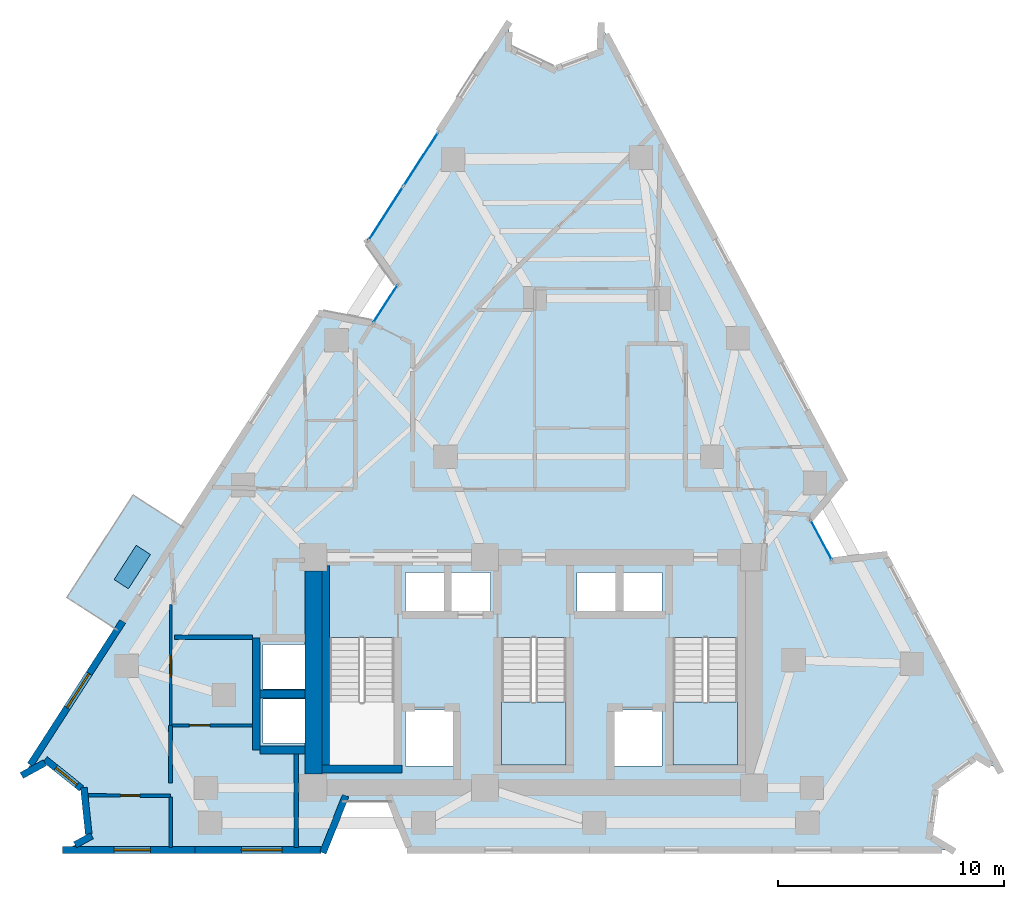
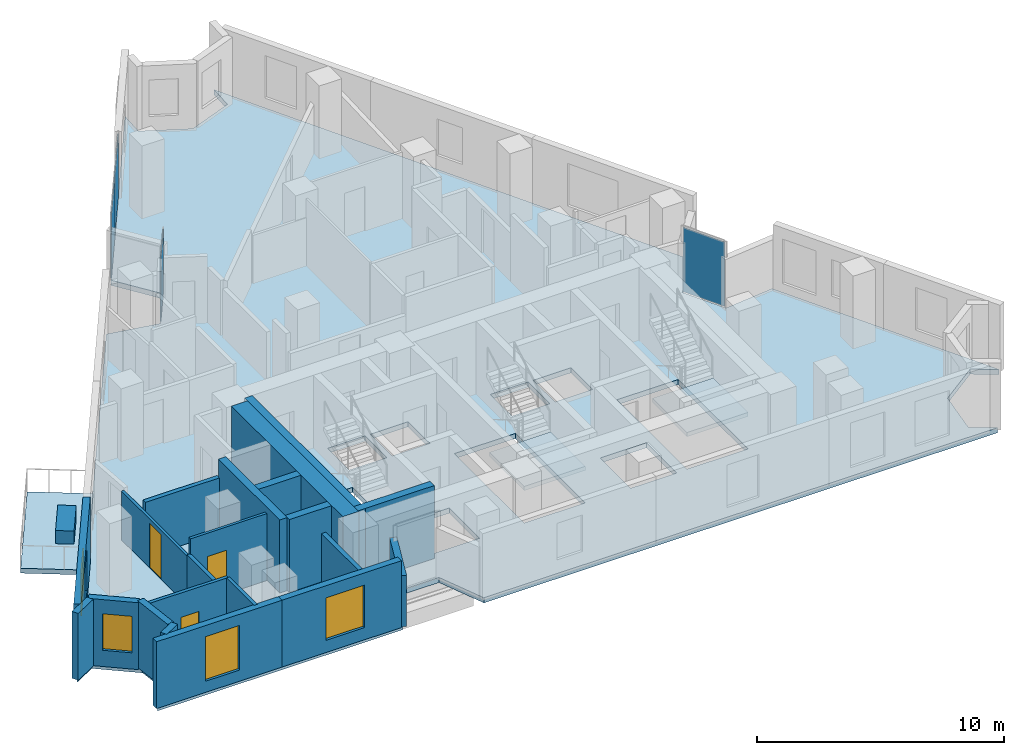
# One storey, part 5 of 11: 21 walls, 5 plates, 4 slabs, 4 windows, 3 doors, 7 openings, 5 elements without a shape of their own.
"""IFC4 building model written with IfcOpenShell, lengths in metres."""

from ifc_helpers import new_model, si_unit, direction, frame, frame_2d, origin, origin_2d, place, context, subcontext, project, spatial, polyline, rectangle, outline, extrude, material, layer, layer_set, type_object, element, fill, aggregate, save


model = new_model("IFC4")

# Units and contexts
model_context = context("Model", 3, precision=1e-05, world=origin(), true_north=direction((0.0, 1.0)))
body_context = subcontext(model_context, "Body", "Model", "MODEL_VIEW")
ifc_project = project(units=[si_unit("LENGTHUNIT", "METRE"), si_unit("AREAUNIT", "SQUARE_METRE"), si_unit("VOLUMEUNIT", "CUBIC_METRE"), si_unit("PLANEANGLEUNIT", "RADIAN"), si_unit("MASSUNIT", "GRAM", prefix="KILO")], contexts=[model_context])

# Site, building, storey
site_placement = place(None, origin())
site = spatial("IfcSite", under=ifc_project, at=site_placement, CompositionType="ELEMENT")
building_placement = place(site_placement, origin())
building = spatial("IfcBuilding", under=site, at=building_placement, Name="Almagre Mirador Tower", CompositionType="ELEMENT")
storey_placement = place(building_placement, frame((0.0, 0.0, 193.199951171875)))
storey = spatial("IfcBuildingStorey", under=building, at=storey_placement, Name="L50", CompositionType="ELEMENT", Elevation=193.199951171875)

# Curtain wall, plate
ifc_material_1 = material(Name="Black anodized aluminium", Category="aluminium")
ifc_layer_1 = layer(ifc_material_1, 0.169921875)
ifc_layer_set_1 = layer_set([ifc_layer_1], Name="Black anodized aluminium")
curtain_wall_type_1 = type_object("IfcCurtainWallType", Name="CW-CRS-SYS", PredefinedType="NOTDEFINED", material=ifc_layer_set_1)
curtain_wall_1_placement = place(storey_placement, origin())
curtain_wall_1 = element("IfcCurtainWall", 1, at=curtain_wall_1_placement, inside=storey, type_object=curtain_wall_type_1, Name="L50 vertical crease curtain wall 01", PredefinedType="NOTDEFINED")
ifc_material_2 = material(Name="Dark solar-control laminated hurricane glass", Category="glass")
ifc_layer_2 = layer(ifc_material_2, 0.028076171875)
ifc_layer_set_2 = layer_set([ifc_layer_2], Name="Dark solar-control laminated hurricane glass")
plate_type_1 = type_object("IfcPlateType", Name="PLT-GLZ-28", PredefinedType="CURTAIN_PANEL", material=ifc_layer_set_2)
plate_1_placement = place(storey_placement, frame((30.740966796875, 25.958984375, 0.06005859375), z_axis=(0.0, 0.0, 1.0), x_axis=(0.541821572943, 0.840493535426, 0.0)))
plate_1 = element("IfcPlate", 2, at=plate_1_placement, type_object=plate_type_1, Name="CW-4 panel 1.1", PredefinedType="CURTAIN_PANEL", context=body_context, shape_type="SweptSolid", body=[
    extrude(rectangle(XDim=1.96923828125, YDim=0.028076171875, at=origin_2d()), origin(), (0.0, 0.0, 1.0), 3.179931640625),
])
aggregate(curtain_wall_1, [plate_1])

curtain_wall_2_placement = place(storey_placement, origin())
curtain_wall_2 = element("IfcCurtainWall", 3, at=curtain_wall_2_placement, inside=storey, type_object=curtain_wall_type_1, Name="L50 vertical crease curtain wall 03", PredefinedType="NOTDEFINED")
plate_2_placement = place(storey_placement, frame((50.02392578125, 15.514404296875, 0.06005859375), z_axis=(0.0, 0.0, 1.0), x_axis=(0.47173010875, -0.881742992316, 0.0)))
plate_2 = element("IfcPlate", 4, at=plate_2_placement, type_object=plate_type_1, Name="CW-4 panel 1.1", PredefinedType="CURTAIN_PANEL", context=body_context, shape_type="SweptSolid", body=[
    extrude(rectangle(XDim=1.97021484375, YDim=0.028076171875, at=origin_2d()), origin(), (0.0, 0.0, 1.0), 3.179931640625),
])
aggregate(curtain_wall_2, [plate_2])

# Curtain wall, plates
ifc_material_3 = material(Name="Black anodized aluminium", Category="aluminium")
ifc_layer_3 = layer(ifc_material_3, 0.199951171875)
ifc_layer_set_3 = layer_set([ifc_layer_3], Name="Black anodized aluminium")
curtain_wall_type_2 = type_object("IfcCurtainWallType", Name="CW-RES-H-SYS", PredefinedType="NOTDEFINED", material=ifc_layer_set_3)
curtain_wall_3_placement = place(storey_placement, origin())
curtain_wall_3 = element("IfcCurtainWall", 5, at=curtain_wall_3_placement, inside=storey, type_object=curtain_wall_type_2, Name="L50 curtain wall run 02", PredefinedType="NOTDEFINED")
ifc_material_4 = material(Name="Dark solar-control laminated hurricane glass", Category="glass")
ifc_layer_4 = layer(ifc_material_4, 0.035888671875)
ifc_layer_set_4 = layer_set([ifc_layer_4], Name="Dark solar-control laminated hurricane glass")
plate_type_2 = type_object("IfcPlateType", Name="PLT-GLZ-36", PredefinedType="CURTAIN_PANEL", material=ifc_layer_set_4)
plate_3_placement = place(storey_placement, frame((30.75634765625, 29.949462890625, 0.065185546875), z_axis=(0.0, 0.0, 1.0), x_axis=(0.542024442963, 0.840362721229, 0.0)))
plate_3 = element("IfcPlate", 6, at=plate_3_placement, type_object=plate_type_2, Name="CW-3 panel 1.1", PredefinedType="CURTAIN_PANEL", context=body_context, shape_type="SweptSolid", body=[
    extrude(rectangle(XDim=2.79345703125, YDim=0.035888671875, at=origin_2d()), origin(), (0.0, 0.0, 1.0), 3.169921875),
])
plate_4_placement = place(storey_placement, frame((32.3056640625, 32.3515625, 0.065185546875), z_axis=(0.0, 0.0, 1.0), x_axis=(0.542024442963, 0.840362721229, 0.0)))
plate_4 = element("IfcPlate", 7, at=plate_4_placement, type_object=plate_type_2, Name="CW-3 panel 2.1", PredefinedType="CURTAIN_PANEL", context=body_context, shape_type="SweptSolid", body=[
    extrude(rectangle(XDim=2.79345703125, YDim=0.035888671875, at=origin_2d()), origin(), (0.0, 0.0, 1.0), 3.169921875),
])
aggregate(curtain_wall_3, [plate_3, plate_4])

# Plate
ifc_material_5 = material(Name="Precast concrete C50/60", Category="concrete")
ifc_layer_5 = layer(ifc_material_5, 0.64990234375)
ifc_layer_set_5 = layer_set([ifc_layer_5], Name="Precast concrete C50/60")
plate_type_3 = type_object("IfcPlateType", Name="PLT-PLANTER-1800", PredefinedType="USERDEFINED", material=ifc_layer_set_5)
plate_5_placement = place(storey_placement, frame((19.5419921875, 14.31494140625, 0.0), z_axis=(0.0, 0.0, 1.0), x_axis=(-0.542030924747, -0.840358540516, 0.0)))
element("IfcPlate", 8, at=plate_5_placement, inside=storey, type_object=plate_type_3, Name="L50 west balcony structural tree planter 1", ObjectType="PLANTER", PredefinedType="USERDEFINED", context=body_context, shape_type="SweptSolid", body=[
    extrude(rectangle(XDim=1.800048828125, YDim=0.75, at=origin_2d()), origin(), (0.0, 0.0, 1.0), 0.64990234375),
])

# Slabs
ifc_material_6 = material(Name="Concrete C45/55", Category="concrete")
ifc_layer_6 = layer(ifc_material_6, 0.239990234375)
ifc_layer_set_6 = layer_set([ifc_layer_6], Name="Concrete C45/55")
slab_type_1 = type_object("IfcSlabType", Name="SLB-BAL-240", PredefinedType="USERDEFINED", material=ifc_layer_set_6)
slab_1_placement = place(storey_placement, frame((0.0, 0.0, -0.239990234375)))
element("IfcSlab", 9, at=slab_1_placement, inside=storey, type_object=slab_type_1, Name="L50 west planted tree balcony 1", ObjectType="BALCONY", PredefinedType="USERDEFINED", context=body_context, shape_type="SweptSolid", body=[
    extrude(outline(polyline([(21.820068359375, 16.05810546875), (18.89404296875, 11.52001953125), (16.64990234375, 12.967041015625), (19.576904296875, 17.5048828125), (21.820068359375, 16.05810546875)])), origin(), (0.0, 0.0, 1.0), 0.239990234375),
])
ifc_material_7 = material(Name="Concrete C45/55", Category="concrete")
ifc_layer_7 = layer(ifc_material_7, 0.25)
ifc_layer_set_7 = layer_set([ifc_layer_7], Name="Concrete C45/55")
slab_type_2 = type_object("IfcSlabType", Name="SLB-FLR-250", PredefinedType="FLOOR", material=ifc_layer_set_7)
slab_2_placement = place(storey_placement, frame((0.0, 0.0, -0.25)))
element("IfcSlab", 10, at=slab_2_placement, inside=storey, type_object=slab_type_2, Name="L50 structural floor slab", PredefinedType="FLOOR", context=body_context, shape_type="SweptSolid", body=[
    extrude(outline(polyline([(14.76806640625, 5.160888671875), (15.794921875, 5.720947265625), (17.412109375, 4.422119140625), (17.626953125, 2.360107421875), (16.60009765625, 1.800048828125), (28.028076171875, 1.800048828125), (28.883056640625, 3.949951171875), (30.972900390625, 3.949951171875), (31.827880859375, 1.800048828125), (55.800048828125, 1.800048828125), (54.7958984375, 2.40087890625), (55.09912109375, 4.615966796875), (56.908935546875, 5.927978515625), (57.9130859375, 5.326904296875), (52.81591796875, 14.85302734375), (50.51708984375, 14.593017578125), (49.531005859375, 16.43603515625), (51.02392578125, 18.2041015625), (40.287109375, 38.27294921875), (40.239013671875, 37.10400390625), (38.176025390625, 36.324951171875), (36.18408203125, 37.27001953125), (36.23193359375, 38.43896484375), (29.964111328125, 28.720947265625), (31.306884765625, 26.8369140625), (30.175048828125, 25.0810546875), (27.904052734375, 25.528076171875), (14.76806640625, 5.160888671875)]), holes=[polyline([(43.47509765625, 5.550048828125), (43.47509765625, 11.196044921875), (46.324951171875, 11.196044921875), (46.324951171875, 5.550048828125), (43.47509765625, 5.550048828125)]), polyline([(40.820068359375, 5.52001953125), (40.820068359375, 7.97998046875), (42.97998046875, 7.97998046875), (42.97998046875, 5.52001953125), (40.820068359375, 5.52001953125)]), polyline([(41.219970703125, 12.320068359375), (41.219970703125, 14.080078125), (42.97998046875, 14.080078125), (42.97998046875, 12.320068359375), (41.219970703125, 12.320068359375)]), polyline([(39.219970703125, 12.320068359375), (39.219970703125, 14.080078125), (40.97998046875, 14.080078125), (40.97998046875, 12.320068359375), (39.219970703125, 12.320068359375)]), polyline([(35.875, 11.196044921875), (38.72509765625, 11.196044921875), (38.72509765625, 5.550048828125), (35.875, 5.550048828125), (35.875, 11.196044921875)]), polyline([(35.3798828125, 12.320068359375), (33.6201171875, 12.320068359375), (33.6201171875, 14.080078125), (35.3798828125, 14.080078125), (35.3798828125, 12.320068359375)]), polyline([(33.780029296875, 5.52001953125), (31.6201171875, 5.52001953125), (31.6201171875, 7.97998046875), (33.780029296875, 7.97998046875), (33.780029296875, 5.52001953125)]), polyline([(31.6201171875, 12.320068359375), (31.6201171875, 14.080078125), (33.3798828125, 14.080078125), (33.3798828125, 12.320068359375), (31.6201171875, 12.320068359375)]), polyline([(28.27490234375, 5.550048828125), (28.27490234375, 11.196044921875), (31.125, 11.196044921875), (31.125, 5.550048828125), (28.27490234375, 5.550048828125)]), polyline([(25.320068359375, 8.919921875), (25.320068359375, 10.8798828125), (27.3798828125, 10.8798828125), (27.3798828125, 8.919921875), (25.320068359375, 8.919921875)]), polyline([(27.3798828125, 6.52001953125), (25.320068359375, 6.52001953125), (25.320068359375, 8.47998046875), (27.3798828125, 8.47998046875), (27.3798828125, 6.52001953125)])]), origin(), (0.0, 0.0, 1.0), 0.25),
])

# Stair, slab
ifc_material_8 = material(Name="Concrete C45/55", Category="concrete")
stair_type = type_object("IfcStairType", Name="STR-DL-3600", PredefinedType="HALF_TURN_STAIR", material=ifc_material_8)
stair_1_placement = place(storey_placement, origin())
stair_1 = element("IfcStair", 11, at=stair_1_placement, inside=storey, type_object=stair_type, Name="L50 Protected exit stair ST-2", PredefinedType="HALF_TURN_STAIR")
ifc_material_9 = material(Name="Concrete C45/55", Category="concrete")
ifc_layer_8 = layer(ifc_material_9, 0.199951171875)
ifc_layer_set_8 = layer_set([ifc_layer_8], Name="Concrete C45/55")
slab_type_3 = type_object("IfcSlabType", Name="SLB-LND-200", PredefinedType="LANDING", material=ifc_layer_set_8)
slab_3_placement = place(storey_placement, frame((0.0, 0.0, 1.60009765625)))
slab_3 = element("IfcSlab", 12, at=slab_3_placement, type_object=slab_type_3, Name="ST-2 landing 1", PredefinedType="LANDING", context=body_context, shape_type="SweptSolid", body=[
    extrude(outline(polyline([(35.875, 8.35009765625), (35.875, 5.550048828125), (38.72509765625, 5.550048828125), (38.72509765625, 8.35009765625), (35.875, 8.35009765625)])), origin(), (0.0, 0.0, 1.0), 0.199951171875),
])
aggregate(stair_1, [slab_3])

stair_2_placement = place(storey_placement, origin())
stair_2 = element("IfcStair", 13, at=stair_2_placement, inside=storey, type_object=stair_type, Name="L50 Protected exit stair ST-3", PredefinedType="HALF_TURN_STAIR")
slab_4_placement = place(storey_placement, frame((0.0, 0.0, 1.60009765625)))
slab_4 = element("IfcSlab", 14, at=slab_4_placement, type_object=slab_type_3, Name="ST-3 landing 1", PredefinedType="LANDING", context=body_context, shape_type="SweptSolid", body=[
    extrude(outline(polyline([(43.47509765625, 8.35009765625), (43.47509765625, 5.550048828125), (46.324951171875, 5.550048828125), (46.324951171875, 8.35009765625), (43.47509765625, 8.35009765625)])), origin(), (0.0, 0.0, 1.0), 0.199951171875),
])
aggregate(stair_2, [slab_4])

# Wall
ifc_material_10 = material(Name="Precast concrete C50/60", Category="concrete")
ifc_layer_9 = layer(ifc_material_10, 0.300048828125)
ifc_layer_set_9 = layer_set([ifc_layer_9], Name="Precast concrete C50/60")
wall_type_1 = type_object("IfcWallType", Name="WAL-EXT-300", PredefinedType="SOLIDWALL", material=ifc_layer_set_9)
wall_1_placement = place(storey_placement, frame((28.98193359375, 4.198974609375, 0.0), z_axis=(0.0, 0.0, 1.0), x_axis=(-0.369487569888, -0.929235672851, 0.0)))
element("IfcWall", 15, at=wall_1_placement, inside=storey, type_object=wall_type_1, Name="L50 expressed almagre precast frame wall 23", PredefinedType="SOLIDWALL", context=body_context, shape_type="SweptSolid", body=[
    extrude(rectangle(XDim=2.7216796875, YDim=0.300048828125, at=frame_2d((1.36083984375, 0.0))), origin(), (0.0, 0.0, 1.0), 2.525146484375),
])

# Wall, opening, window
wall_2_placement = place(storey_placement, frame((27.887939453125, 1.800048828125, 0.0), z_axis=(0.0, 0.0, 1.0), x_axis=(-1.0, 0.0, 0.0)))
wall_2 = element("IfcWall", 16, at=wall_2_placement, inside=storey, type_object=wall_type_1, Name="L50 expressed almagre precast frame wall 24", PredefinedType="SOLIDWALL", context=body_context, shape_type="SweptSolid", body=[
    extrude(rectangle(XDim=5.573974609375, YDim=0.300048828125, at=frame_2d((2.787109375, 0.0))), origin(), (0.0, 0.0, 1.0), 3.300048828125),
])
opening_1_placement = place(wall_2_placement, frame((1.719970703125, 0.0, 0.60009765625)))
opening_1 = element("IfcOpeningElement", 17, at=opening_1_placement, cuts=wall_2, Name="Opening WN-01", PredefinedType="OPENING", context=body_context, shape_type="SweptSolid", body=[
    extrude(rectangle(XDim=1.800048828125, YDim=2.10009765625, at=frame_2d((0.89990234375, 1.050048828125))), frame((0.0, 0.159902, 0.0), z_axis=(0.0, -1.0, 0.0), x_axis=(1.0, 0.0, 0.0)), (0.0, 0.0, 1.0), 0.320049),
])
ifc_material_11 = material(Name="Dark solar-control laminated hurricane glass", Category="glass")
window_type_1 = type_object("IfcWindowType", Name="WIN-1800X2100", PartitioningType="DOUBLE_PANEL_VERTICAL", PredefinedType="WINDOW", material=ifc_material_11)
window_1_placement = place(opening_1_placement, origin())
window_1 = element("IfcWindow", 18, at=window_1_placement, inside=storey, type_object=window_type_1, Name="L50 recessed hurricane window L50-UA-MB", OverallHeight=2.10009765625, OverallWidth=1.800048828125, PartitioningType="SINGLE_PANEL", PredefinedType="WINDOW", context=body_context, shape_type="SweptSolid", body=[
    extrude(rectangle(XDim=1.800048828125, YDim=2.10009765625, at=frame_2d((0.89990234375, 1.050048828125))), frame((0.0, 0.030029296875, 0.0), z_axis=(0.0, -1.0, 0.0), x_axis=(1.0, 0.0, 0.0)), (0.0, 0.0, 1.0), 0.06005859375),
])
fill(opening_1, window_1)

wall_3_placement = place(storey_placement, frame((22.31396484375, 1.800048828125, 0.0), z_axis=(0.0, 0.0, 1.0), x_axis=(-1.0, 0.0, 0.0)))
wall_3 = element("IfcWall", 19, at=wall_3_placement, inside=storey, type_object=wall_type_1, Name="L50 expressed almagre precast frame wall 25", PredefinedType="SOLIDWALL", context=body_context, shape_type="SweptSolid", body=[
    extrude(rectangle(XDim=5.85400390625, YDim=0.300048828125, at=frame_2d((2.927001953125, 0.0))), origin(), (0.0, 0.0, 1.0), 3.300048828125),
])
opening_2_placement = place(wall_3_placement, frame((1.97509765625, 0.0, 0.550048828125)))
opening_2 = element("IfcOpeningElement", 20, at=opening_2_placement, cuts=wall_3, Name="Opening WN-06", PredefinedType="OPENING", context=body_context, shape_type="SweptSolid", body=[
    extrude(rectangle(XDim=1.60009765625, YDim=2.199951171875, at=frame_2d((0.800048828125, 1.10009765625))), frame((0.0, 0.159902, 0.0), z_axis=(0.0, -1.0, 0.0), x_axis=(1.0, 0.0, 0.0)), (0.0, 0.0, 1.0), 0.320049),
])
ifc_material_12 = material(Name="Dark solar-control laminated hurricane glass", Category="glass")
window_type_2 = type_object("IfcWindowType", Name="WIN-1600X2200", PartitioningType="DOUBLE_PANEL_VERTICAL", PredefinedType="WINDOW", material=ifc_material_12)
window_2_placement = place(opening_2_placement, origin())
window_2 = element("IfcWindow", 21, at=window_2_placement, inside=storey, type_object=window_type_2, Name="L50 recessed hurricane window L50-UA-HB", OverallHeight=2.199951171875, OverallWidth=1.60009765625, PartitioningType="SINGLE_PANEL", PredefinedType="WINDOW", context=body_context, shape_type="SweptSolid", body=[
    extrude(rectangle(XDim=1.60009765625, YDim=2.199951171875, at=frame_2d((0.800048828125, 1.10009765625))), frame((0.0, 0.030029296875, 0.0), z_axis=(0.0, -1.0, 0.0), x_axis=(1.0, 0.0, 0.0)), (0.0, 0.0, 1.0), 0.06005859375),
])
fill(opening_2, window_2)

# Walls
wall_4_placement = place(storey_placement, frame((17.0126953125, 2.02490234375, 0.0), z_axis=(0.0, 0.0, 1.0), x_axis=(0.877928900016, 0.478791025936, 0.0)))
element("IfcWall", 22, at=wall_4_placement, inside=storey, type_object=wall_type_1, Name="L50 expressed almagre precast frame wall 26", PredefinedType="SOLIDWALL", context=body_context, shape_type="SweptSolid", body=[
    extrude(rectangle(XDim=0.83984375, YDim=0.300048828125, at=frame_2d((0.419921875, 0.0))), origin(), (0.0, 0.0, 1.0), 3.300048828125),
])
wall_5_placement = place(storey_placement, frame((17.612548828125, 2.499267578125, 0.0), z_axis=(0.0, 0.0, 1.0), x_axis=(-0.10374684954, 0.994603735771, 0.0)))
element("IfcWall", 23, at=wall_5_placement, inside=storey, type_object=wall_type_1, Name="L50 expressed almagre precast frame wall 27", PredefinedType="SOLIDWALL", context=body_context, shape_type="SweptSolid", body=[
    extrude(rectangle(XDim=2.0732421875, YDim=0.300048828125, at=frame_2d((1.03662109375, 0.0))), origin(), (0.0, 0.0, 1.0), 3.300048828125),
])

# Wall, opening, window
wall_6_placement = place(storey_placement, frame((17.29345703125, 4.51708984375, 0.0), z_axis=(0.0, 0.0, 1.0), x_axis=(-0.779596670004, 0.626281911058, 0.0)))
wall_6 = element("IfcWall", 24, at=wall_6_placement, inside=storey, type_object=wall_type_1, Name="L50 expressed almagre precast frame wall 28", PredefinedType="SOLIDWALL", context=body_context, shape_type="SweptSolid", body=[
    extrude(rectangle(XDim=2.062255859375, YDim=0.300048828125, at=frame_2d((1.03125, 0.0))), origin(), (0.0, 0.0, 1.0), 3.300048828125),
])
opening_3_placement = place(wall_6_placement, frame((0.258056640625, 0.0, 0.800048828125)))
opening_3 = element("IfcOpeningElement", 25, at=opening_3_placement, cuts=wall_6, Name="Opening WN-04", PredefinedType="OPENING", context=body_context, shape_type="SweptSolid", body=[
    extrude(rectangle(XDim=1.199951171875, YDim=1.800048828125, at=frame_2d((0.60009765625, 0.89990234375))), frame((0.0, 0.159902, 0.0), z_axis=(0.0, -1.0, 0.0), x_axis=(1.0, 0.0, 0.0)), (0.0, 0.0, 1.0), 0.320049),
])
ifc_material_13 = material(Name="Dark solar-control laminated hurricane glass", Category="glass")
window_type_3 = type_object("IfcWindowType", Name="WIN-1200X1800", PartitioningType="SINGLE_PANEL", PredefinedType="WINDOW", material=ifc_material_13)
window_3_placement = place(opening_3_placement, origin())
window_3 = element("IfcWindow", 26, at=window_3_placement, inside=storey, type_object=window_type_3, Name="L50 recessed hurricane window L50-UA-LV", OverallHeight=1.800048828125, OverallWidth=1.199951171875, PartitioningType="SINGLE_PANEL", PredefinedType="WINDOW", context=body_context, shape_type="SweptSolid", body=[
    extrude(rectangle(XDim=1.199951171875, YDim=1.800048828125, at=frame_2d((0.60009765625, 0.89990234375))), frame((0.0, 0.030029296875, 0.0), z_axis=(0.0, -1.0, 0.0), x_axis=(1.0, 0.0, 0.0)), (0.0, 0.0, 1.0), 0.06005859375),
])
fill(opening_3, window_3)

# Wall
wall_7_placement = place(storey_placement, frame((15.672119140625, 5.654052734375, 0.0), z_axis=(0.0, 0.0, 1.0), x_axis=(-0.877959368473, -0.478735153619, 0.0)))
element("IfcWall", 27, at=wall_7_placement, inside=storey, type_object=wall_type_1, Name="L50 expressed almagre precast frame wall 29", PredefinedType="SOLIDWALL", context=body_context, shape_type="SweptSolid", body=[
    extrude(rectangle(XDim=1.169921875, YDim=0.300048828125, at=frame_2d((0.5849609375, 0.0))), origin(), (0.0, 0.0, 1.0), 3.300048828125),
])

# Wall, opening, window
wall_8_placement = place(storey_placement, frame((15.028076171875, 5.564208984375, 0.0), z_axis=(0.0, 0.0, 1.0), x_axis=(0.541998742133, 0.840379297417, 0.0)))
wall_8 = element("IfcWall", 28, at=wall_8_placement, inside=storey, type_object=wall_type_1, Name="L50 expressed almagre precast frame wall 30", PredefinedType="SOLIDWALL", context=body_context, shape_type="SweptSolid", body=[
    extrude(rectangle(XDim=7.55224609375, YDim=0.300048828125, at=frame_2d((3.776123046875, 0.0))), origin(), (0.0, 0.0, 1.0), 3.300048828125),
])
opening_4_placement = place(wall_8_placement, frame((3.0048828125, 0.0, 0.60009765625)))
opening_4 = element("IfcOpeningElement", 29, at=opening_4_placement, cuts=wall_8, Name="Opening WN-01", PredefinedType="OPENING", context=body_context, shape_type="SweptSolid", body=[
    extrude(rectangle(XDim=1.800048828125, YDim=2.10009765625, at=frame_2d((0.89990234375, 1.050048828125))), frame((0.0, 0.159902, 0.0), z_axis=(0.0, -1.0, 0.0), x_axis=(1.0, 0.0, 0.0)), (0.0, 0.0, 1.0), 0.320049),
])
window_4_placement = place(opening_4_placement, origin())
window_4 = element("IfcWindow", 30, at=window_4_placement, inside=storey, type_object=window_type_1, Name="L50 recessed hurricane window L50-UA-LV", OverallHeight=2.10009765625, OverallWidth=1.800048828125, PartitioningType="SINGLE_PANEL", PredefinedType="WINDOW", context=body_context, shape_type="SweptSolid", body=[
    extrude(rectangle(XDim=1.800048828125, YDim=2.10009765625, at=frame_2d((0.89990234375, 1.050048828125))), frame((0.0, 0.030029296875, 0.0), z_axis=(0.0, -1.0, 0.0), x_axis=(1.0, 0.0, 0.0)), (0.0, 0.0, 1.0), 0.06005859375),
])
fill(opening_4, window_4)

# Wall, opening, door
ifc_material_14 = material(Name="Gypsum acoustic stud partition", Category="other")
ifc_layer_10 = layer(ifc_material_14, 0.125)
ifc_layer_set_10 = layer_set([ifc_layer_10], Name="Gypsum acoustic stud partition")
wall_type_2 = type_object("IfcWallType", Name="WAL-PRT-125-UTL", PredefinedType="PARTITIONING", material=ifc_layer_set_10)
wall_9_placement = place(storey_placement, frame((21.239990234375, 7.31005859375, 0.0), z_axis=(0.0, 0.0, 1.0), x_axis=(0.0, 1.0, 0.0)))
wall_9 = element("IfcWall", 31, at=wall_9_placement, inside=storey, type_object=wall_type_2, Name="L50 interior partition 026", PredefinedType="PARTITIONING", context=body_context, shape_type="SweptSolid", body=[
    extrude(rectangle(XDim=5.349853515625, YDim=0.125, at=frame_2d((2.6748046875, 0.0))), origin(), (0.0, 0.0, 1.0), 2.4140625),
])
opening_5_placement = place(wall_9_placement, frame((2.14111328125, 0.0, 0.0)))
opening_5 = element("IfcOpeningElement", 32, at=opening_5_placement, cuts=wall_9, Name="Opening UD-01", PredefinedType="OPENING", context=body_context, shape_type="SweptSolid", body=[
    extrude(rectangle(XDim=0.949951171875, YDim=2.199951171875, at=frame_2d((0.47509765625, 1.10009765625))), frame((0.0, 0.0725, 0.0), z_axis=(0.0, -1.0, 0.0), x_axis=(1.0, 0.0, 0.0)), (0.0, 0.0, 1.0), 0.145),
])
ifc_material_15 = material(Name="Solid American walnut timber", Category="wood")
door_type_1 = type_object("IfcDoorType", Name="DOR-UNR-950X2200", OperationType="NOTDEFINED", PredefinedType="DOOR", material=ifc_material_15)
door_1_placement = place(opening_5_placement, origin())
door_1 = element("IfcDoor", 33, at=door_1_placement, inside=storey, type_object=door_type_1, Name="DR-1575 L50 interior door L50-UA-LV to L50-UA-KT", OperationType="SINGLE_SWING_RIGHT", OverallHeight=2.199951171875, OverallWidth=0.949951171875, PredefinedType="DOOR", context=body_context, shape_type="SweptSolid", body=[
    extrude(rectangle(XDim=0.949951171875, YDim=2.199951171875, at=frame_2d((0.47509765625, 1.10009765625))), frame((0.0, 0.02490234375, 0.0), z_axis=(0.0, -1.0, 0.0), x_axis=(1.0, 0.0, 0.0)), (0.0, 0.0, 1.0), 0.050048828125),
])
fill(opening_5, door_1)

wall_10_placement = place(storey_placement, frame((21.28759765625, 7.31005859375, 0.0), z_axis=(0.0, 0.0, 1.0), x_axis=(1.0, 0.0, 0.0)))
wall_10 = element("IfcWall", 34, at=wall_10_placement, inside=storey, type_object=wall_type_2, Name="L50 interior partition 029", PredefinedType="PARTITIONING", context=body_context, shape_type="SweptSolid", body=[
    extrude(rectangle(XDim=3.577392578125, YDim=0.125, at=frame_2d((1.78857421875, 0.0))), origin(), (0.0, 0.0, 1.0), 3.300048828125),
])
opening_6_placement = place(wall_10_placement, frame((0.782470703125, 0.0, 0.0)))
opening_6 = element("IfcOpeningElement", 35, at=opening_6_placement, cuts=wall_10, Name="Opening UD-02", PredefinedType="OPENING", context=body_context, shape_type="SweptSolid", body=[
    extrude(rectangle(XDim=0.89990234375, YDim=2.14990234375, at=frame_2d((0.449951171875, 1.074951171875))), frame((0.0, 0.0725, 0.0), z_axis=(0.0, -1.0, 0.0), x_axis=(1.0, 0.0, 0.0)), (0.0, 0.0, 1.0), 0.145),
])
ifc_material_16 = material(Name="Solid American walnut timber", Category="wood")
door_type_2 = type_object("IfcDoorType", Name="DOR-UNR-900X2150", OperationType="NOTDEFINED", PredefinedType="DOOR", material=ifc_material_16)
door_2_placement = place(opening_6_placement, origin())
door_2 = element("IfcDoor", 36, at=door_2_placement, inside=storey, type_object=door_type_2, Name="DR-1577 L50 interior door L50-UA-KT to L50-UA-MB", OperationType="SINGLE_SWING_RIGHT", OverallHeight=2.14990234375, OverallWidth=0.89990234375, PredefinedType="DOOR", context=body_context, shape_type="SweptSolid", body=[
    extrude(rectangle(XDim=0.89990234375, YDim=2.14990234375, at=frame_2d((0.449951171875, 1.074951171875))), frame((0.0, 0.02490234375, 0.0), z_axis=(0.0, -1.0, 0.0), x_axis=(1.0, 0.0, 0.0)), (0.0, 0.0, 1.0), 0.050048828125),
])
fill(opening_6, door_2)

ifc_material_17 = material(Name="Gypsum acoustic stud partition", Category="other")
ifc_layer_11 = layer(ifc_material_17, 0.14990234375)
ifc_layer_set_11 = layer_set([ifc_layer_11], Name="Gypsum acoustic stud partition")
wall_type_3 = type_object("IfcWallType", Name="WAL-PRT-150-STD", PredefinedType="PARTITIONING", material=ifc_layer_set_11)
wall_11_placement = place(storey_placement, frame((17.593017578125, 4.212890625, 0.0), z_axis=(0.0, 0.0, 1.0), x_axis=(0.999993705913, -0.003547976062, 0.0)))
wall_11 = element("IfcWall", 37, at=wall_11_placement, inside=storey, type_object=wall_type_3, Name="L50 interior partition 025", PredefinedType="PARTITIONING", context=body_context, shape_type="SweptSolid", body=[
    extrude(rectangle(XDim=3.64697265625, YDim=0.14990234375, at=frame_2d((1.823486328125, 0.0))), origin(), (0.0, 0.0, 1.0), 3.300048828125),
])
opening_7_placement = place(wall_11_placement, frame((1.434814453125, 0.0, 0.0)))
opening_7 = element("IfcOpeningElement", 38, at=opening_7_placement, cuts=wall_11, Name="Opening UD-04", PredefinedType="OPENING", context=body_context, shape_type="SweptSolid", body=[
    extrude(rectangle(XDim=0.85009765625, YDim=2.10009765625, at=frame_2d((0.425048828125, 1.050048828125))), frame((0.0, 0.084951, 0.0), z_axis=(0.0, -1.0, 0.0), x_axis=(1.0, 0.0, 0.0)), (0.0, 0.0, 1.0), 0.169902),
])
ifc_material_18 = material(Name="Moisture-resistant oak timber", Category="wood")
door_type_3 = type_object("IfcDoorType", Name="DOR-UNR-850X2100", OperationType="NOTDEFINED", PredefinedType="DOOR", material=ifc_material_18)
door_3_placement = place(opening_7_placement, origin())
door_3 = element("IfcDoor", 39, at=door_3_placement, inside=storey, type_object=door_type_3, Name="DR-1576 L50 interior door L50-UA-LV to L50-UA-HB", OperationType="SINGLE_SWING_LEFT", OverallHeight=2.10009765625, OverallWidth=0.85009765625, PredefinedType="DOOR", context=body_context, shape_type="SweptSolid", body=[
    extrude(rectangle(XDim=0.85009765625, YDim=2.10009765625, at=frame_2d((0.425048828125, 1.050048828125))), frame((0.0, 0.02490234375, 0.0), z_axis=(0.0, -1.0, 0.0), x_axis=(1.0, 0.0, 0.0)), (0.0, 0.0, 1.0), 0.050048828125),
])
fill(opening_7, door_3)

# Walls
wall_12_placement = place(storey_placement, frame((21.239990234375, 1.89990234375, 0.0), z_axis=(0.0, 0.0, 1.0), x_axis=(0.0, 1.0, 0.0)))
element("IfcWall", 40, at=wall_12_placement, inside=storey, type_object=wall_type_3, Name="L50 interior partition 028", PredefinedType="PARTITIONING", context=body_context, shape_type="SweptSolid", body=[
    extrude(rectangle(XDim=2.239990234375, YDim=0.14990234375, at=frame_2d((1.1201171875, 0.0))), origin(), (0.0, 0.0, 1.0), 3.300048828125),
])
ifc_material_19 = material(Name="Gypsum acoustic stud partition", Category="other")
ifc_layer_12 = layer(ifc_material_19, 0.175048828125)
ifc_layer_set_12 = layer_set([ifc_layer_12], Name="Gypsum acoustic stud partition")
wall_type_4 = type_object("IfcWallType", Name="WAL-PRT-175-AC", PredefinedType="PARTITIONING", material=ifc_layer_set_12)
wall_13_placement = place(storey_placement, frame((21.239990234375, 4.77001953125, 0.0), z_axis=(0.0, 0.0, 1.0), x_axis=(0.0, 1.0, 0.0)))
element("IfcWall", 41, at=wall_13_placement, inside=storey, type_object=wall_type_4, Name="L50 interior partition 027", PredefinedType="PARTITIONING", context=body_context, shape_type="SweptSolid", body=[
    extrude(rectangle(XDim=2.5400390625, YDim=0.175048828125, at=frame_2d((1.27001953125, 0.0))), origin(), (0.0, 0.0, 1.0), 2.52001953125),
])
ifc_material_20 = material(Name="Gypsum acoustic stud partition", Category="other")
ifc_layer_13 = layer(ifc_material_20, 0.199951171875)
ifc_layer_set_13 = layer_set([ifc_layer_13], Name="Gypsum acoustic stud partition")
wall_type_5 = type_object("IfcWallType", Name="WAL-PRT-200-EI60", PredefinedType="PARTITIONING", material=ifc_layer_set_13)
wall_14_placement = place(storey_placement, frame((21.39990234375, 11.199951171875, 0.0), z_axis=(0.0, 0.0, 1.0), x_axis=(1.0, 0.0, 0.0)))
element("IfcWall", 42, at=wall_14_placement, inside=storey, type_object=wall_type_5, Name="L50 interior partition 003", PredefinedType="PARTITIONING", context=body_context, shape_type="SweptSolid", body=[
    extrude(rectangle(XDim=3.46923828125, YDim=0.199951171875, at=frame_2d((1.734619140625, 0.0))), origin(), (0.0, 0.0, 1.0), 2.720947265625),
])
wall_15_placement = place(storey_placement, frame((26.800048828125, 1.89990234375, 0.0), z_axis=(0.0, 0.0, 1.0), x_axis=(0.0, 1.0, 0.0)))
element("IfcWall", 43, at=wall_15_placement, inside=storey, type_object=wall_type_5, Name="L50 interior partition 030", PredefinedType="PARTITIONING", context=body_context, shape_type="SweptSolid", body=[
    extrude(rectangle(XDim=4.1650390625, YDim=0.199951171875, at=frame_2d((2.08251953125, 0.0))), origin(), (0.0, 0.0, 1.0), 2.385986328125),
])
ifc_material_21 = material(Name="Concrete C60/75", Category="concrete")
ifc_layer_14 = layer(ifc_material_21, 0.35009765625)
ifc_layer_set_14 = layer_set([ifc_layer_14], Name="Concrete C60/75")
wall_type_6 = type_object("IfcWallType", Name="WAL-SHF-350", PredefinedType="SOLIDWALL", material=ifc_layer_set_14)
wall_16_placement = place(storey_placement, frame((28.10009765625, 5.199951171875, 0.0), z_axis=(0.0, 0.0, 1.0), x_axis=(0.0, 1.0, 0.0)))
element("IfcWall", 44, at=wall_16_placement, inside=storey, type_object=wall_type_6, Name="L50 shaft wall ST1-W", PredefinedType="SOLIDWALL", context=body_context, shape_type="SweptSolid", body=[
    extrude(rectangle(XDim=9.175048828125, YDim=0.35009765625, at=frame_2d((4.58740234375, 0.0))), origin(), (0.0, 0.0, 1.0), 3.60009765625),
])
wall_17_placement = place(storey_placement, frame((27.925048828125, 5.375, 0.0), z_axis=(0.0, 0.0, 1.0), x_axis=(1.0, 0.0, 0.0)))
element("IfcWall", 45, at=wall_17_placement, inside=storey, type_object=wall_type_6, Name="L50 shaft wall ST1-S", PredefinedType="SOLIDWALL", context=body_context, shape_type="SweptSolid", body=[
    extrude(rectangle(XDim=3.550048828125, YDim=0.35009765625, at=frame_2d((1.77490234375, 0.0))), origin(), (0.0, 0.0, 1.0), 3.60009765625),
])
wall_18_placement = place(storey_placement, frame((25.02490234375, 6.22509765625, 0.0), z_axis=(0.0, 0.0, 1.0), x_axis=(0.0, 1.0, 0.0)))
element("IfcWall", 46, at=wall_18_placement, inside=storey, type_object=wall_type_6, Name="L50 shaft wall OL-W", PredefinedType="SOLIDWALL", context=body_context, shape_type="SweptSolid", body=[
    extrude(rectangle(XDim=4.949951171875, YDim=0.35009765625, at=frame_2d((2.47509765625, 0.0))), origin(), (0.0, 0.0, 1.0), 3.60009765625),
])
for number, where, z_axis, x_axis, name in (
    (47, (25.199951171875, 6.22509765625, 0.0), (0.0, 0.0, 1.0), (1.0, 0.0, 0.0), "L50 shaft wall OL-S"),
    (48, (25.199951171875, 8.699951171875, 0.0), (0.0, 0.0, 1.0), (1.0, 0.0, 0.0), "L50 shaft wall OL-M"),
):
    element("IfcWall", number, at=place(storey_placement, frame(where, z_axis=z_axis, x_axis=x_axis)), inside=storey, type_object=wall_type_6, Name=name, PredefinedType="SOLIDWALL", context=body_context, shape_type="SweptSolid", body=[
        extrude(rectangle(XDim=1.97509765625, YDim=0.35009765625, at=frame_2d((0.987548828125, 0.0))), origin(), (0.0, 0.0, 1.0), 3.60009765625),
    ])
ifc_material_22 = material(Name="Concrete C60/75", Category="concrete")
ifc_layer_15 = layer(ifc_material_22, 0.75)
ifc_layer_set_15 = layer_set([ifc_layer_15], Name="Concrete C60/75")
wall_type_7 = type_object("IfcWallType", Name="WAL-SHR-750", PredefinedType="SHEAR", material=ifc_layer_set_15)
wall_19_placement = place(storey_placement, frame((27.550048828125, 5.14990234375, 0.0), z_axis=(0.0, 0.0, 1.0), x_axis=(0.0, 1.0, 0.0)))
element("IfcWall", 49, at=wall_19_placement, inside=storey, type_object=wall_type_7, Name="L50 core shear wall W1", PredefinedType="SHEAR", context=body_context, shape_type="SweptSolid", body=[
    extrude(rectangle(XDim=9.0, YDim=0.75, at=frame_2d((4.5, 0.0))), origin(), (0.0, 0.0, 1.0), 3.60009765625),
])

save(model, "model.ifc")
